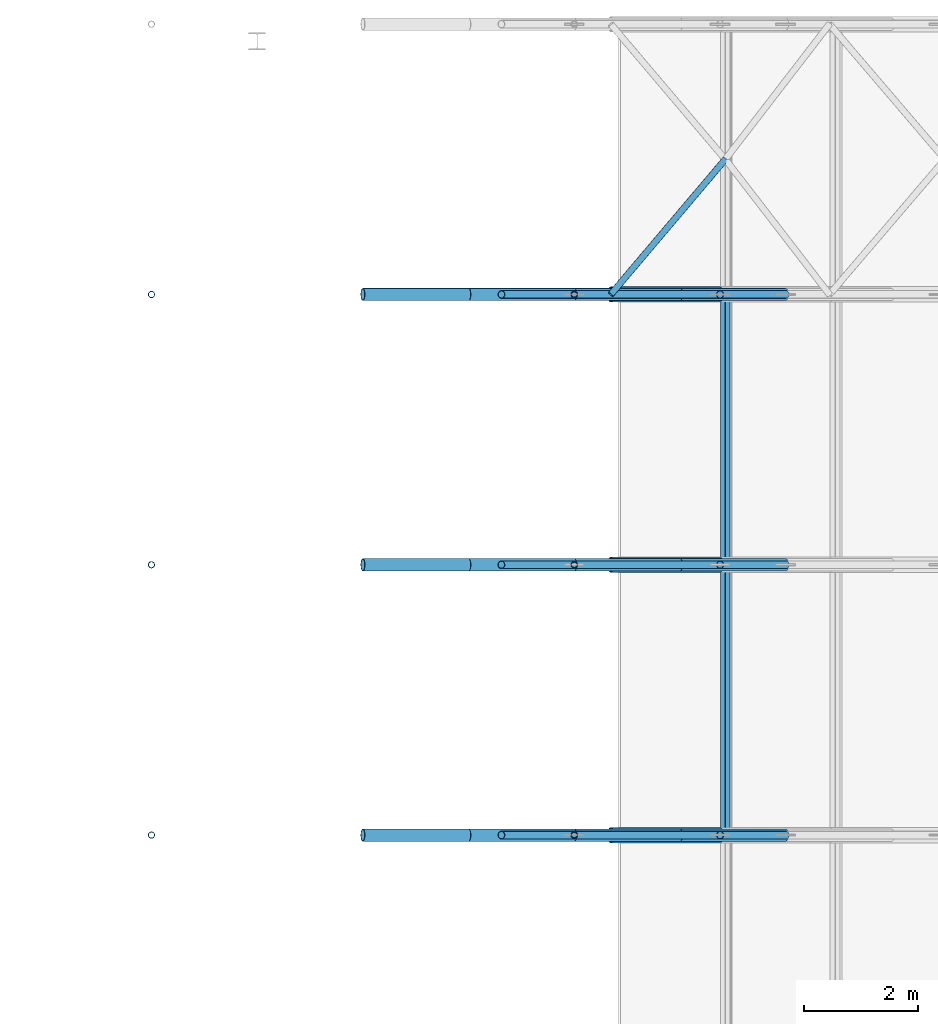
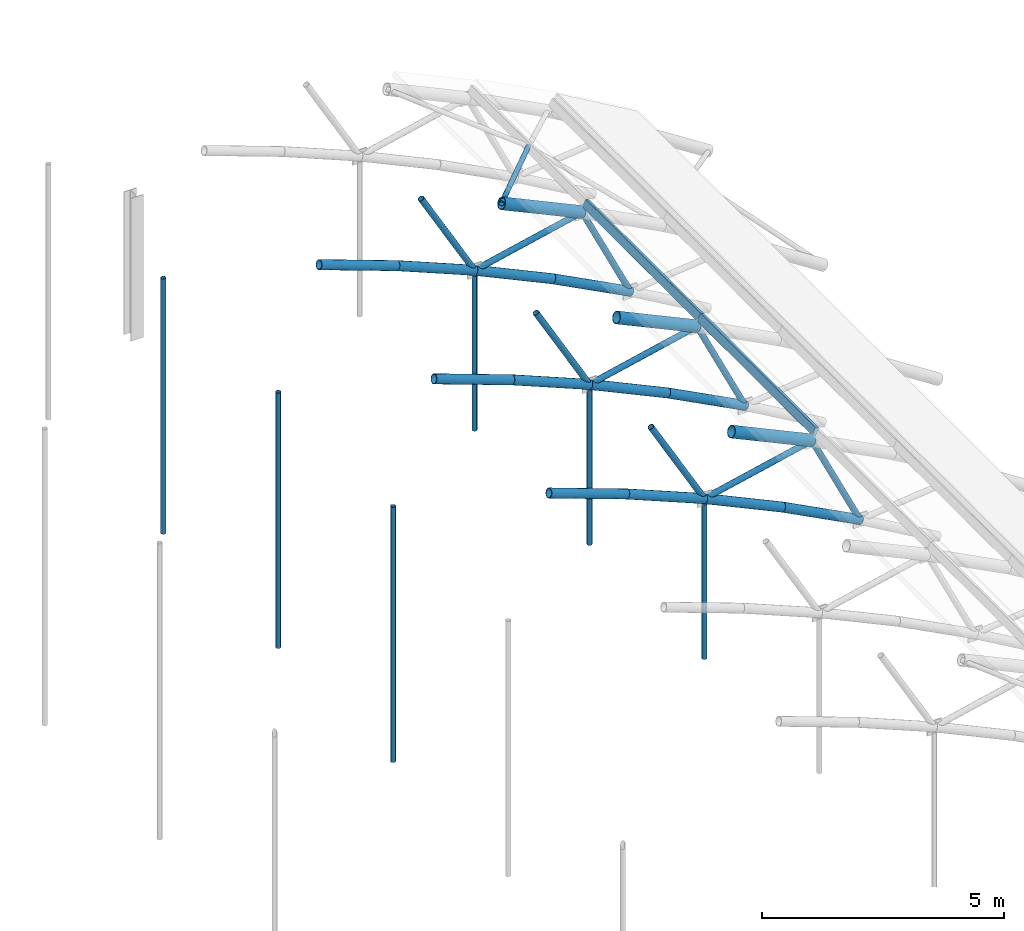
# One storey, part 17 of 50: 33 members.
"""IFC4 building model written with IfcOpenShell, lengths in metres."""

from ifc_helpers import new_model, si_unit, direction, frame, origin, origin_2d, place, context, subcontext, project, spatial, hollow_rectangle, hollow_circle, extrude, material, material_profile, profile_set, type_object, element, save


model = new_model("IFC4")

# Units and contexts
model_context = context("Model", 3, precision=1e-05, world=origin(), true_north=direction((0.0, 1.0)))
body_context = subcontext(model_context, "Body", "Model", "MODEL_VIEW")
ifc_project = project(units=[si_unit("LENGTHUNIT", "METRE"), si_unit("AREAUNIT", "SQUARE_METRE"), si_unit("VOLUMEUNIT", "CUBIC_METRE"), si_unit("PLANEANGLEUNIT", "RADIAN"), si_unit("MASSUNIT", "GRAM", prefix="KILO")], contexts=[model_context])

# Site, building, storey
site_placement = place(None, origin())
site = spatial("IfcSite", under=ifc_project, at=site_placement, CompositionType="ELEMENT")
building_placement = place(site_placement, origin())
building = spatial("IfcBuilding", under=site, at=building_placement, Name="Elbe Cascade School", CompositionType="ELEMENT")
storey_placement = place(building_placement, frame((0.0, 0.0, 15.300048828125)))
storey = spatial("IfcBuildingStorey", under=building, at=storey_placement, Name="L04", CompositionType="ELEMENT", Elevation=15.300048828125)

# Members
ifc_material_1 = material(Name="Steel S355J2H", Category="steel")
ifc_material_profile_1 = material_profile(ifc_material_1, hollow_circle(Radius=0.109619140625, WallThickness=0.012451171875, at=origin_2d()), Name="CHS 219.1x12.5")
ifc_profile_set_1 = profile_set([ifc_material_profile_1], Name="Steel S355J2H")
member_type_1 = type_object("IfcMemberType", Name="Hall rib bottom chord CHS 219.1x12.5", PredefinedType="CHORD", material=ifc_profile_set_1)
member_1_placement = place(storey_placement, frame((48.857177734375, 55.25, 3.8408203125), z_axis=(0.939919624861, 0.0, -0.341395809582), x_axis=(0.0, 1.0, 0.0)))
element("IfcMember", 1, at=member_1_placement, inside=storey, type_object=member_type_1, Name="Hall rib bottom chord CHS 219.1x12.5 M3", PredefinedType="CHORD", context=body_context, shape_type="SweptSolid", body=[
    extrude(hollow_circle(Radius=0.109619140625, WallThickness=0.012451171875, at=origin_2d()), origin(), (0.0, 0.0, 1.0), 1.975830078125),
])
member_2_placement = place(storey_placement, frame((50.71435546875, 55.25, 3.166259765625), z_axis=(0.924348085413, 0.0, -0.381550281083), x_axis=(0.0, 1.0, 0.0)))
element("IfcMember", 2, at=member_2_placement, inside=storey, type_object=member_type_1, Name="Hall rib bottom chord CHS 219.1x12.5 M3", PredefinedType="CHORD", context=body_context, shape_type="SweptSolid", body=[
    extrude(hollow_circle(Radius=0.109619140625, WallThickness=0.012451171875, at=origin_2d()), origin(), (0.0, 0.0, 1.0), 2.00927734375),
])
member_3_placement = place(storey_placement, frame((52.571533203125, 55.25, 2.399658203125), z_axis=(0.90670626979, 0.0, -0.421762658759), x_axis=(0.0, 1.0, 0.0)))
element("IfcMember", 3, at=member_3_placement, inside=storey, type_object=member_type_1, Name="Hall rib bottom chord CHS 219.1x12.5 M3", PredefinedType="CHORD", context=body_context, shape_type="SweptSolid", body=[
    extrude(hollow_circle(Radius=0.109619140625, WallThickness=0.012451171875, at=origin_2d()), origin(), (0.0, 0.0, 1.0), 2.048095703125),
])
member_4_placement = place(storey_placement, frame((54.428466796875, 55.25, 1.535888671875), z_axis=(0.886913089016, 0.0, -0.461936329523), x_axis=(0.0, 1.0, 0.0)))
element("IfcMember", 4, at=member_4_placement, inside=storey, type_object=member_type_1, Name="Hall rib bottom chord CHS 219.1x12.5 M3", PredefinedType="CHORD", context=body_context, shape_type="SweptSolid", body=[
    extrude(hollow_circle(Radius=0.109619140625, WallThickness=0.012451171875, at=origin_2d()), origin(), (0.0, 0.0, 1.0), 2.093994140625),
])
member_5_placement = place(storey_placement, frame((48.857177734375, 60.0, 3.8408203125), z_axis=(0.939919624861, 0.0, -0.341395809582), x_axis=(0.0, 1.0, 0.0)))
element("IfcMember", 5, at=member_5_placement, inside=storey, type_object=member_type_1, Name="Hall rib bottom chord CHS 219.1x12.5 M3", PredefinedType="CHORD", context=body_context, shape_type="SweptSolid", body=[
    extrude(hollow_circle(Radius=0.109619140625, WallThickness=0.012451171875, at=origin_2d()), origin(), (0.0, 0.0, 1.0), 1.975830078125),
])
member_6_placement = place(storey_placement, frame((50.71435546875, 60.0, 3.166259765625), z_axis=(0.924348085413, 0.0, -0.381550281083), x_axis=(0.0, 1.0, 0.0)))
element("IfcMember", 6, at=member_6_placement, inside=storey, type_object=member_type_1, Name="Hall rib bottom chord CHS 219.1x12.5 M3", PredefinedType="CHORD", context=body_context, shape_type="SweptSolid", body=[
    extrude(hollow_circle(Radius=0.109619140625, WallThickness=0.012451171875, at=origin_2d()), origin(), (0.0, 0.0, 1.0), 2.00927734375),
])
member_7_placement = place(storey_placement, frame((52.571533203125, 60.0, 2.399658203125), z_axis=(0.90670626979, 0.0, -0.421762658759), x_axis=(0.0, 1.0, 0.0)))
element("IfcMember", 7, at=member_7_placement, inside=storey, type_object=member_type_1, Name="Hall rib bottom chord CHS 219.1x12.5 M3", PredefinedType="CHORD", context=body_context, shape_type="SweptSolid", body=[
    extrude(hollow_circle(Radius=0.109619140625, WallThickness=0.012451171875, at=origin_2d()), origin(), (0.0, 0.0, 1.0), 2.048095703125),
])
member_8_placement = place(storey_placement, frame((54.428466796875, 60.0, 1.535888671875), z_axis=(0.886913089016, 0.0, -0.461936329523), x_axis=(0.0, 1.0, 0.0)))
element("IfcMember", 8, at=member_8_placement, inside=storey, type_object=member_type_1, Name="Hall rib bottom chord CHS 219.1x12.5 M3", PredefinedType="CHORD", context=body_context, shape_type="SweptSolid", body=[
    extrude(hollow_circle(Radius=0.109619140625, WallThickness=0.012451171875, at=origin_2d()), origin(), (0.0, 0.0, 1.0), 2.093994140625),
])
member_9_placement = place(storey_placement, frame((48.857177734375, 64.75, 3.8408203125), z_axis=(0.939919624861, 0.0, -0.341395809582), x_axis=(0.0, 1.0, 0.0)))
element("IfcMember", 9, at=member_9_placement, inside=storey, type_object=member_type_1, Name="Hall rib bottom chord CHS 219.1x12.5 M3", PredefinedType="CHORD", context=body_context, shape_type="SweptSolid", body=[
    extrude(hollow_circle(Radius=0.109619140625, WallThickness=0.012451171875, at=origin_2d()), origin(), (0.0, 0.0, 1.0), 1.975830078125),
])
member_10_placement = place(storey_placement, frame((50.71435546875, 64.75, 3.166259765625), z_axis=(0.924348085413, 0.0, -0.381550281083), x_axis=(0.0, 1.0, 0.0)))
element("IfcMember", 10, at=member_10_placement, inside=storey, type_object=member_type_1, Name="Hall rib bottom chord CHS 219.1x12.5 M3", PredefinedType="CHORD", context=body_context, shape_type="SweptSolid", body=[
    extrude(hollow_circle(Radius=0.109619140625, WallThickness=0.012451171875, at=origin_2d()), origin(), (0.0, 0.0, 1.0), 2.00927734375),
])
member_11_placement = place(storey_placement, frame((52.571533203125, 64.75, 2.399658203125), z_axis=(0.90670626979, 0.0, -0.421762658759), x_axis=(0.0, 1.0, 0.0)))
element("IfcMember", 11, at=member_11_placement, inside=storey, type_object=member_type_1, Name="Hall rib bottom chord CHS 219.1x12.5 M3", PredefinedType="CHORD", context=body_context, shape_type="SweptSolid", body=[
    extrude(hollow_circle(Radius=0.109619140625, WallThickness=0.012451171875, at=origin_2d()), origin(), (0.0, 0.0, 1.0), 2.048095703125),
])
member_12_placement = place(storey_placement, frame((54.428466796875, 64.75, 1.535888671875), z_axis=(0.886913089016, 0.0, -0.461936329523), x_axis=(0.0, 1.0, 0.0)))
element("IfcMember", 12, at=member_12_placement, inside=storey, type_object=member_type_1, Name="Hall rib bottom chord CHS 219.1x12.5 M3", PredefinedType="CHORD", context=body_context, shape_type="SweptSolid", body=[
    extrude(hollow_circle(Radius=0.109619140625, WallThickness=0.012451171875, at=origin_2d()), origin(), (0.0, 0.0, 1.0), 2.093994140625),
])
ifc_material_2 = material(Name="Steel S355J2H", Category="steel")
ifc_material_profile_2 = material_profile(ifc_material_2, hollow_circle(Radius=0.136474609375, WallThickness=0.012451171875, at=origin_2d()), Name="CHS 273x12.5")
ifc_profile_set_2 = profile_set([ifc_material_profile_2], Name="Steel S355J2H")
member_type_2 = type_object("IfcMemberType", Name="Hall rib top chord CHS 273x12.5", PredefinedType="CHORD", material=ifc_profile_set_2)
for number, where, z_axis, x_axis, name in (
    (13, (53.2138671875, 55.25, 3.864990234375), (0.906697546089, 0.0, -0.421781412482), (0.0, 1.0, 0.0), "Hall rib top chord CHS 273x12.5 M2"),
    (14, (53.2138671875, 60.0, 3.864990234375), (0.906697546089, 0.0, -0.421781412482), (0.0, 1.0, 0.0), "Hall rib top chord CHS 273x12.5 M2"),
    (15, (53.2138671875, 64.75, 3.864990234375), (0.906697546089, 0.0, -0.421781412482), (0.0, 1.0, 0.0), "Hall rib top chord CHS 273x12.5 M2"),
):
    element("IfcMember", number, at=place(storey_placement, frame(where, z_axis=z_axis, x_axis=x_axis)), inside=storey, type_object=member_type_2, Name=name, PredefinedType="CHORD", context=body_context, shape_type="SweptSolid", body=[
        extrude(hollow_circle(Radius=0.136474609375, WallThickness=0.012451171875, at=origin_2d()), origin(), (0.0, 0.0, 1.0), 2.119140625),
    ])
ifc_material_3 = material(Name="Steel S355J2H", Category="steel")
ifc_material_profile_3 = material_profile(ifc_material_3, hollow_circle(Radius=0.06982421875, WallThickness=0.008056640625, at=origin_2d()), Name="CHS 139.7x8")
ifc_profile_set_3 = profile_set([ifc_material_profile_3], Name="Steel S355J2H")
member_type_3 = type_object("IfcMemberType", Name="Hall rib web CHS 139.7x8", PredefinedType="BRACE", material=ifc_profile_set_3)
member_13_placement = place(storey_placement, frame((51.29248046875, 55.25, 4.657958984375), z_axis=(0.492822683539, 0.0, -0.870129761926), x_axis=(0.0, 1.0, 0.0)))
element("IfcMember", 16, at=member_13_placement, inside=storey, type_object=member_type_3, Name="Hall rib web CHS 139.7x8 M4", PredefinedType="BRACE", context=body_context, shape_type="SweptSolid", body=[
    extrude(hollow_circle(Radius=0.06982421875, WallThickness=0.008056640625, at=origin_2d()), origin(), (0.0, 0.0, 1.0), 2.595458984375),
])
member_14_placement = place(storey_placement, frame((52.571533203125, 55.25, 2.399658203125), z_axis=(0.976040308699, 0.0, 0.217589787893), x_axis=(0.0, 1.0, 0.0)))
element("IfcMember", 17, at=member_14_placement, inside=storey, type_object=member_type_3, Name="Hall rib web CHS 139.7x8 M4", PredefinedType="BRACE", context=body_context, shape_type="SweptSolid", body=[
    extrude(hollow_circle(Radius=0.06982421875, WallThickness=0.008056640625, at=origin_2d()), origin(), (0.0, 0.0, 1.0), 2.626708984375),
])
member_15_placement = place(storey_placement, frame((55.13525390625, 55.25, 2.97119140625), z_axis=(0.431860834408, 0.0, -0.901940252846), x_axis=(0.0, 1.0, 0.0)))
element("IfcMember", 18, at=member_15_placement, inside=storey, type_object=member_type_3, Name="Hall rib web CHS 139.7x8 M4", PredefinedType="BRACE", context=body_context, shape_type="SweptSolid", body=[
    extrude(hollow_circle(Radius=0.06982421875, WallThickness=0.008056640625, at=origin_2d()), origin(), (0.0, 0.0, 1.0), 2.663818359375),
])
member_16_placement = place(storey_placement, frame((51.29248046875, 60.0, 4.657958984375), z_axis=(0.492822683539, 0.0, -0.870129761926), x_axis=(0.0, 1.0, 0.0)))
element("IfcMember", 19, at=member_16_placement, inside=storey, type_object=member_type_3, Name="Hall rib web CHS 139.7x8 M4", PredefinedType="BRACE", context=body_context, shape_type="SweptSolid", body=[
    extrude(hollow_circle(Radius=0.06982421875, WallThickness=0.008056640625, at=origin_2d()), origin(), (0.0, 0.0, 1.0), 2.595458984375),
])
member_17_placement = place(storey_placement, frame((52.571533203125, 60.0, 2.399658203125), z_axis=(0.976040308699, 0.0, 0.217589787893), x_axis=(0.0, 1.0, 0.0)))
element("IfcMember", 20, at=member_17_placement, inside=storey, type_object=member_type_3, Name="Hall rib web CHS 139.7x8 M4", PredefinedType="BRACE", context=body_context, shape_type="SweptSolid", body=[
    extrude(hollow_circle(Radius=0.06982421875, WallThickness=0.008056640625, at=origin_2d()), origin(), (0.0, 0.0, 1.0), 2.626708984375),
])
member_18_placement = place(storey_placement, frame((55.13525390625, 60.0, 2.97119140625), z_axis=(0.431860834408, 0.0, -0.901940252846), x_axis=(0.0, 1.0, 0.0)))
element("IfcMember", 21, at=member_18_placement, inside=storey, type_object=member_type_3, Name="Hall rib web CHS 139.7x8 M4", PredefinedType="BRACE", context=body_context, shape_type="SweptSolid", body=[
    extrude(hollow_circle(Radius=0.06982421875, WallThickness=0.008056640625, at=origin_2d()), origin(), (0.0, 0.0, 1.0), 2.663818359375),
])
member_19_placement = place(storey_placement, frame((51.29248046875, 64.75, 4.657958984375), z_axis=(0.492822683539, 0.0, -0.870129761926), x_axis=(0.0, 1.0, 0.0)))
element("IfcMember", 22, at=member_19_placement, inside=storey, type_object=member_type_3, Name="Hall rib web CHS 139.7x8 M4", PredefinedType="BRACE", context=body_context, shape_type="SweptSolid", body=[
    extrude(hollow_circle(Radius=0.06982421875, WallThickness=0.008056640625, at=origin_2d()), origin(), (0.0, 0.0, 1.0), 2.595458984375),
])
member_20_placement = place(storey_placement, frame((52.571533203125, 64.75, 2.399658203125), z_axis=(0.976040308699, 0.0, 0.217589787893), x_axis=(0.0, 1.0, 0.0)))
element("IfcMember", 23, at=member_20_placement, inside=storey, type_object=member_type_3, Name="Hall rib web CHS 139.7x8 M4", PredefinedType="BRACE", context=body_context, shape_type="SweptSolid", body=[
    extrude(hollow_circle(Radius=0.06982421875, WallThickness=0.008056640625, at=origin_2d()), origin(), (0.0, 0.0, 1.0), 2.626708984375),
])
member_21_placement = place(storey_placement, frame((55.13525390625, 64.75, 2.97119140625), z_axis=(0.431860834408, 0.0, -0.901940252846), x_axis=(0.0, 1.0, 0.0)))
element("IfcMember", 24, at=member_21_placement, inside=storey, type_object=member_type_3, Name="Hall rib web CHS 139.7x8 M4", PredefinedType="BRACE", context=body_context, shape_type="SweptSolid", body=[
    extrude(hollow_circle(Radius=0.06982421875, WallThickness=0.008056640625, at=origin_2d()), origin(), (0.0, 0.0, 1.0), 2.663818359375),
])
ifc_material_4 = material(Name="Steel S355J2H", Category="steel")
ifc_material_profile_4 = material_profile(ifc_material_4, hollow_circle(Radius=0.05712890625, WallThickness=0.00634765625, at=origin_2d()), Name="CHS 114.3x6.3")
ifc_profile_set_4 = profile_set([ifc_material_profile_4], Name="Steel S355J2H")
member_type_4 = type_object("IfcMemberType", Name="Hall roof bracing CHS 114.3x6.3", PredefinedType="BRACE", material=ifc_profile_set_4)
member_22_placement = place(storey_placement, frame((55.2265625, 67.125, 3.156494140625), z_axis=(-0.630399186919, -0.743877157975, 0.221909078171), x_axis=(0.762898222969, -0.646518600962, 0.0)))
element("IfcMember", 25, at=member_22_placement, inside=storey, type_object=member_type_4, Name="Hall roof bracing CHS 114.3x6.3 M9", PredefinedType="BRACE", context=body_context, shape_type="SweptSolid", body=[
    extrude(hollow_circle(Radius=0.05712890625, WallThickness=0.00634765625, at=origin_2d()), origin(), (0.0, 0.0, 1.0), 3.192626953125),
])
ifc_material_5 = material(Name="Steel S355J2H", Category="steel")
ifc_material_profile_5 = material_profile(ifc_material_5, hollow_rectangle(XDim=0.10009765625, YDim=0.199951171875, WallThickness=0.008056640625, InnerFilletRadius=0.008056640625, OuterFilletRadius=0.011962890625, at=origin_2d()), Name="RHS 200x100x8")
ifc_profile_set_5 = profile_set([ifc_material_profile_5], Name="Steel S355J2H")
member_type_5 = type_object("IfcMemberType", Name="Hall roof purlin RHS 200x100x8", PredefinedType="PURLIN", material=ifc_profile_set_5)
for number, where, z_axis, x_axis, name in (
    (26, (55.2265625, 55.25, 3.156494140625), (0.0, 1.0, 0.0), (-0.897163381573, 0.0, 0.441698841706), "Hall roof purlin RHS 200x100x8 M8"),
    (27, (55.2265625, 60.0, 3.156494140625), (0.0, 1.0, 0.0), (-0.897163381573, 0.0, 0.441698841706), "Hall roof purlin RHS 200x100x8 M8"),
):
    element("IfcMember", number, at=place(storey_placement, frame(where, z_axis=z_axis, x_axis=x_axis)), inside=storey, type_object=member_type_5, Name=name, PredefinedType="PURLIN", context=body_context, shape_type="SweptSolid", body=[
        extrude(hollow_rectangle(XDim=0.10009765625, YDim=0.199951171875, WallThickness=0.008056640625, InnerFilletRadius=0.008056640625, OuterFilletRadius=0.011962890625, at=origin_2d()), origin(), (0.0, 0.0, 1.0), 4.75),
    ])
ifc_material_6 = material(Name="Steel S355J2H", Category="steel")
ifc_material_profile_6 = material_profile(ifc_material_6, hollow_circle(Radius=0.05712890625, WallThickness=0.00634765625, at=origin_2d()), Name="CHS 114.3x6.3")
ifc_profile_set_6 = profile_set([ifc_material_profile_6], Name="Steel S355J2H")
member_type_6 = type_object("IfcMemberType", Name="Hall tie hanger CHS 114.3x6.3", PredefinedType="POST", material=ifc_profile_set_6)
member_23_placement = place(storey_placement, frame((45.142822265625, 55.25, -1.623779296875), z_axis=(0.0, 0.0, 1.0), x_axis=(1.0, 0.0, 0.0)))
element("IfcMember", 28, at=member_23_placement, inside=storey, type_object=member_type_6, Name="Hall tie hanger CHS 114.3x6.3 M7", PredefinedType="POST", context=body_context, shape_type="SweptSolid", body=[
    extrude(hollow_circle(Radius=0.05712890625, WallThickness=0.00634765625, at=origin_2d()), origin(), (0.0, 0.0, 1.0), 6.4404296875),
])
member_24_placement = place(storey_placement, frame((52.571533203125, 55.25, -1.623779296875), z_axis=(0.0, 0.0, 1.0), x_axis=(1.0, 0.0, 0.0)))
element("IfcMember", 29, at=member_24_placement, inside=storey, type_object=member_type_6, Name="Hall tie hanger CHS 114.3x6.3 M7", PredefinedType="POST", context=body_context, shape_type="SweptSolid", body=[
    extrude(hollow_circle(Radius=0.05712890625, WallThickness=0.00634765625, at=origin_2d()), origin(), (0.0, 0.0, 1.0), 3.90380859375),
])
member_25_placement = place(storey_placement, frame((45.142822265625, 60.0, -1.623779296875), z_axis=(0.0, 0.0, 1.0), x_axis=(1.0, 0.0, 0.0)))
element("IfcMember", 30, at=member_25_placement, inside=storey, type_object=member_type_6, Name="Hall tie hanger CHS 114.3x6.3 M7", PredefinedType="POST", context=body_context, shape_type="SweptSolid", body=[
    extrude(hollow_circle(Radius=0.05712890625, WallThickness=0.00634765625, at=origin_2d()), origin(), (0.0, 0.0, 1.0), 6.4404296875),
])
member_26_placement = place(storey_placement, frame((52.571533203125, 60.0, -1.623779296875), z_axis=(0.0, 0.0, 1.0), x_axis=(1.0, 0.0, 0.0)))
element("IfcMember", 31, at=member_26_placement, inside=storey, type_object=member_type_6, Name="Hall tie hanger CHS 114.3x6.3 M7", PredefinedType="POST", context=body_context, shape_type="SweptSolid", body=[
    extrude(hollow_circle(Radius=0.05712890625, WallThickness=0.00634765625, at=origin_2d()), origin(), (0.0, 0.0, 1.0), 3.90380859375),
])
member_27_placement = place(storey_placement, frame((45.142822265625, 64.75, -1.623779296875), z_axis=(0.0, 0.0, 1.0), x_axis=(1.0, 0.0, 0.0)))
element("IfcMember", 32, at=member_27_placement, inside=storey, type_object=member_type_6, Name="Hall tie hanger CHS 114.3x6.3 M7", PredefinedType="POST", context=body_context, shape_type="SweptSolid", body=[
    extrude(hollow_circle(Radius=0.05712890625, WallThickness=0.00634765625, at=origin_2d()), origin(), (0.0, 0.0, 1.0), 6.4404296875),
])
member_28_placement = place(storey_placement, frame((52.571533203125, 64.75, -1.623779296875), z_axis=(0.0, 0.0, 1.0), x_axis=(1.0, 0.0, 0.0)))
element("IfcMember", 33, at=member_28_placement, inside=storey, type_object=member_type_6, Name="Hall tie hanger CHS 114.3x6.3 M7", PredefinedType="POST", context=body_context, shape_type="SweptSolid", body=[
    extrude(hollow_circle(Radius=0.05712890625, WallThickness=0.00634765625, at=origin_2d()), origin(), (0.0, 0.0, 1.0), 3.90380859375),
])

save(model, "model.ifc")
